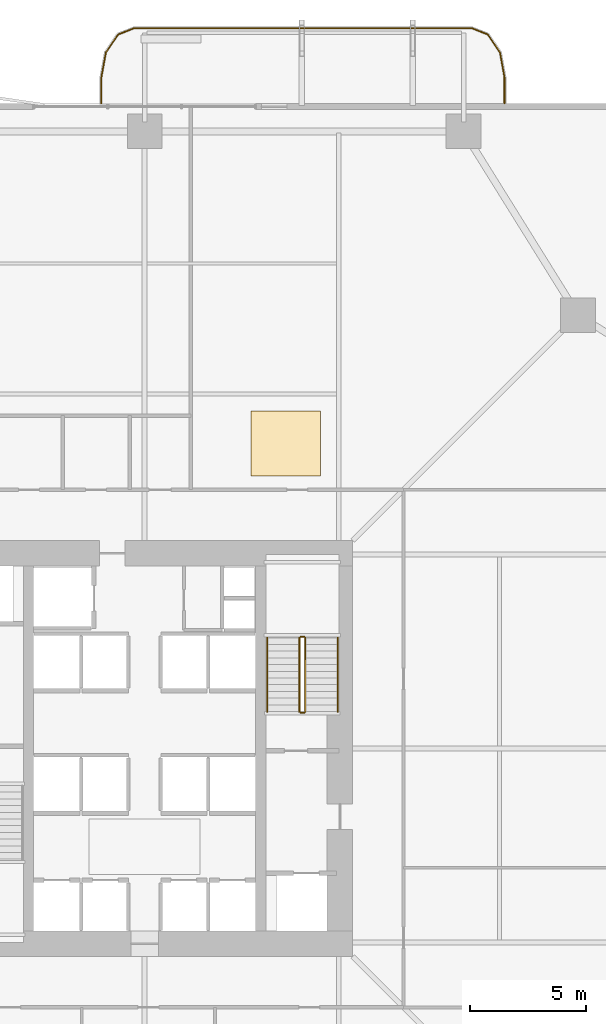
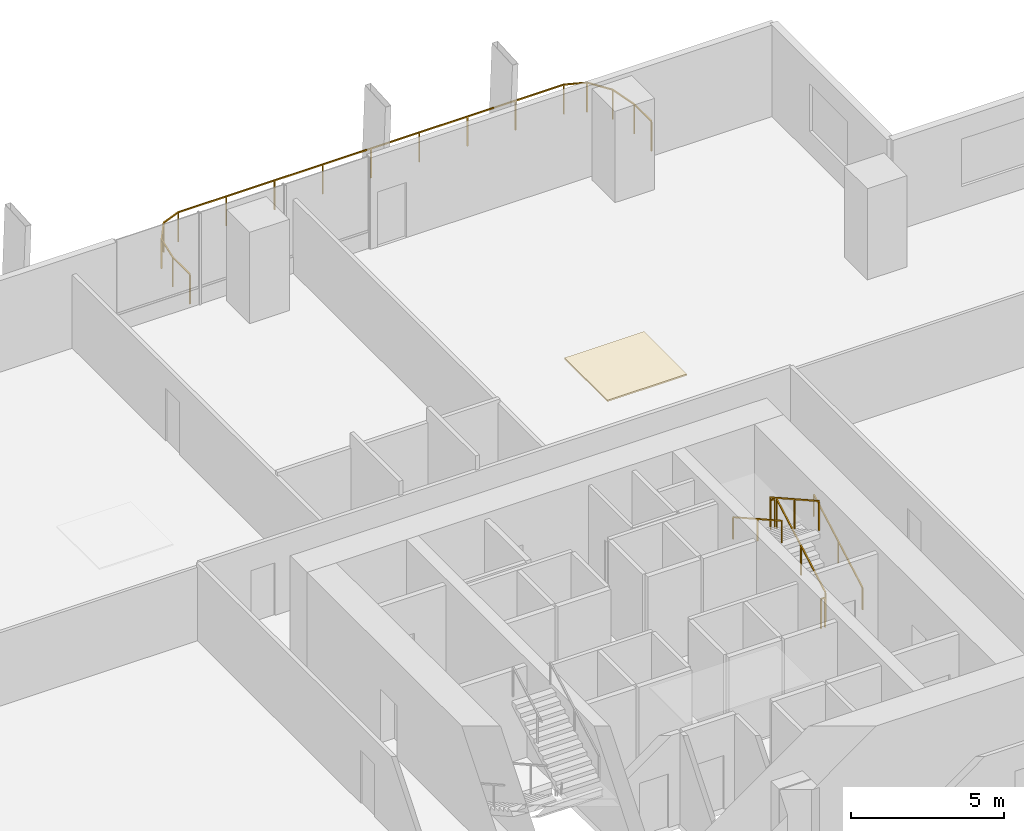
# One storey, part 23 of 23: 7 railings, 1 covering.
"""IFC4 building model written with IfcOpenShell, lengths in metres."""

from ifc_helpers import new_model, si_unit, direction, frame, origin, origin_2d, place, context, subcontext, project, spatial, polyline, rectangle, outline, extrude, material, layer, layer_set, type_object, element, save


model = new_model("IFC4")

# Units and contexts
model_context = context("Model", 3, precision=1e-05, world=origin(), true_north=direction((0.0, 1.0)))
body_context = subcontext(model_context, "Body", "Model", "MODEL_VIEW")
ifc_project = project(units=[si_unit("LENGTHUNIT", "METRE"), si_unit("AREAUNIT", "SQUARE_METRE"), si_unit("VOLUMEUNIT", "CUBIC_METRE"), si_unit("PLANEANGLEUNIT", "RADIAN"), si_unit("MASSUNIT", "GRAM", prefix="KILO")], contexts=[model_context])

# Site, building, storey
site_placement = place(None, origin())
site = spatial("IfcSite", under=ifc_project, at=site_placement, CompositionType="ELEMENT")
building_placement = place(site_placement, origin())
building = spatial("IfcBuilding", under=site, at=building_placement, Name="Belovzor Exchange Tower", CompositionType="ELEMENT")
storey_placement = place(building_placement, frame((0.0, 0.0, 41.699951171875)))
storey = spatial("IfcBuildingStorey", under=building, at=storey_placement, Name="L09", CompositionType="ELEMENT", Elevation=41.699951171875)

# Railings
ifc_material_1 = material(Name="Stainless Steel Grade 304", Category="steel")
railing_type_1 = type_object("IfcRailingType", Name="Brushed Stainless Steel Stair Handrail 900", PredefinedType="HANDRAIL", material=ifc_material_1)
railing_1_placement = place(storey_placement, frame((37.14990234375, 30.39990234375, 0.16259765625)))
element("IfcRailing", 1, at=railing_1_placement, inside=storey, type_object=railing_type_1, Name="L09 ST-2 stair handrail 1", PredefinedType="HANDRAIL", context=body_context, shape_type="SweptSolid", body=[
    extrude(rectangle(XDim=0.048095703125, YDim=0.048095703125, at=origin_2d()), frame((0.0, 0.0, 0.8759765625), z_axis=(0.0, 0.872406949647, 0.488780230991), x_axis=(-1.0, 0.0, 0.0)), (0.0, 0.0, 1.0), 3.65673828125),
    extrude(rectangle(XDim=0.0419921875, YDim=0.0419921875, at=origin_2d()), origin(), (0.0, 0.0, 1.0), 0.851806640625),
    extrude(rectangle(XDim=0.0419921875, YDim=0.0419921875, at=origin_2d()), frame((0.0, 1.59521484375, 0.8935546875)), (0.0, 0.0, 1.0), 0.851806640625),
    extrude(rectangle(XDim=0.0419921875, YDim=0.0419921875, at=origin_2d()), frame((0.0, 3.190185546875, 1.787353515625)), (0.0, 0.0, 1.0), 0.851806640625),
])
railing_2_placement = place(storey_placement, frame((34.10009765625, 33.590087890625, 2.112548828125)))
element("IfcRailing", 2, at=railing_2_placement, inside=storey, type_object=railing_type_1, Name="L09 ST-2 stair handrail 2", PredefinedType="HANDRAIL", context=body_context, shape_type="SweptSolid", body=[
    extrude(rectangle(XDim=0.048095703125, YDim=0.048095703125, at=origin_2d()), frame((0.0, 0.0, 0.8759765625), z_axis=(0.0, -0.87237847985, 0.488831042279), x_axis=(1.0, 0.0, 0.0)), (0.0, 0.0, 1.0), 3.656982421875),
    extrude(rectangle(XDim=0.0419921875, YDim=0.0419921875, at=origin_2d()), origin(), (0.0, 0.0, 1.0), 0.851806640625),
    extrude(rectangle(XDim=0.0419921875, YDim=0.0419921875, at=origin_2d()), frame((0.0, -1.59521484375, 0.893798828125)), (0.0, 0.0, 1.0), 0.851806640625),
    extrude(rectangle(XDim=0.0419921875, YDim=0.0419921875, at=origin_2d()), frame((0.0, -3.190185546875, 1.78759765625)), (0.0, 0.0, 1.0), 0.851806640625),
])
ifc_material_2 = material(Name="Stainless Steel and Laminated Safety Glass", Category="steel")
railing_type_2 = type_object("IfcRailingType", Name="Laminated Glass & Stainless Steel Balcony Balustrade 1200", PredefinedType="BALUSTRADE", material=ifc_material_2)
railing_3_placement = place(storey_placement, frame((44.3701171875, 56.7099609375, 0.0)))
element("IfcRailing", 3, at=railing_3_placement, inside=storey, type_object=railing_type_2, Name="GR-1 Balcony Balustrade L09 North", PredefinedType="BALUSTRADE", context=body_context, shape_type="SweptSolid", body=[
    extrude(rectangle(XDim=0.048095703125, YDim=0.048095703125, at=origin_2d()), frame((0.0, 0.0, 1.17578125), z_axis=(0.0, 1.0, 0.0), x_axis=(-1.0, 0.0, 0.0)), (0.0, 0.0, 1.0), 1.133056640625),
    extrude(rectangle(XDim=0.048095703125, YDim=0.048095703125, at=origin_2d()), frame((0.0, 1.133056640625, 1.17578125), z_axis=(-0.180122719713, 0.983644145941, 0.0), x_axis=(-0.983644145941, -0.180122719713, 0.0)), (0.0, 0.0, 1.0), 1.09375),
    extrude(rectangle(XDim=0.048095703125, YDim=0.048095703125, at=origin_2d()), frame((-0.197021484375, 2.208984375, 1.17578125), z_axis=(-0.56294695933, 0.826493025367, 0.0), x_axis=(-0.826493025367, -0.56294695933, 0.0)), (0.0, 0.0, 1.0), 0.932861328125),
    extrude(rectangle(XDim=0.048095703125, YDim=0.048095703125, at=origin_2d()), frame((-0.72216796875, 2.97998046875, 1.17578125), z_axis=(-0.930766990125, 0.365612923861, 0.0), x_axis=(-0.365612923861, -0.930766990125, 0.0)), (0.0, 0.0, 1.0), 0.765869140625),
    extrude(rectangle(XDim=0.048095703125, YDim=0.048095703125, at=origin_2d()), frame((-1.43505859375, 3.260009765625, 1.17578125), z_axis=(-1.0, 0.0, 0.0), x_axis=(0.0, -1.0, 0.0)), (0.0, 0.0, 1.0), 14.570068359375),
    extrude(rectangle(XDim=0.048095703125, YDim=0.048095703125, at=origin_2d()), frame((-16.005126953125, 3.260009765625, 1.17578125), z_axis=(-0.930766990125, -0.365612923861, 0.0), x_axis=(0.365612923861, -0.930766990125, 0.0)), (0.0, 0.0, 1.0), 0.765869140625),
    extrude(rectangle(XDim=0.048095703125, YDim=0.048095703125, at=origin_2d()), frame((-16.718017578125, 2.97998046875, 1.17578125), z_axis=(-0.56294695933, -0.826493025367, 0.0), x_axis=(0.826493025367, -0.56294695933, 0.0)), (0.0, 0.0, 1.0), 0.932861328125),
    extrude(rectangle(XDim=0.048095703125, YDim=0.048095703125, at=origin_2d()), frame((-17.2431640625, 2.208984375, 1.17578125), z_axis=(-0.180122719713, -0.983644145941, 0.0), x_axis=(0.983644145941, -0.180122719713, 0.0)), (0.0, 0.0, 1.0), 1.09375),
    extrude(rectangle(XDim=0.048095703125, YDim=0.048095703125, at=origin_2d()), frame((-17.440185546875, 1.133056640625, 1.17578125), z_axis=(0.0, -1.0, 0.0), x_axis=(1.0, 0.0, 0.0)), (0.0, 0.0, 1.0), 1.133056640625),
    extrude(rectangle(XDim=0.0419921875, YDim=0.0419921875, at=origin_2d()), origin(), (0.0, 0.0, 1.0), 1.15185546875),
    extrude(rectangle(XDim=0.0419921875, YDim=0.0419921875, at=origin_2d()), frame((0.0, 1.133056640625, 0.0)), (0.0, 0.0, 1.0), 1.15185546875),
    extrude(rectangle(XDim=0.0419921875, YDim=0.0419921875, at=origin_2d()), frame((-0.197021484375, 2.208984375, 0.0)), (0.0, 0.0, 1.0), 1.15185546875),
    extrude(rectangle(XDim=0.0419921875, YDim=0.0419921875, at=origin_2d()), frame((-0.72216796875, 2.97998046875, 0.0)), (0.0, 0.0, 1.0), 1.15185546875),
    extrude(rectangle(XDim=0.0419921875, YDim=0.0419921875, at=origin_2d()), frame((-1.43505859375, 3.260009765625, 0.0)), (0.0, 0.0, 1.0), 1.15185546875),
    extrude(rectangle(XDim=0.0419921875, YDim=0.0419921875, at=origin_2d()), frame((-3.25634765625, 3.260009765625, 0.0)), (0.0, 0.0, 1.0), 1.15185546875),
    extrude(rectangle(XDim=0.0419921875, YDim=0.0419921875, at=origin_2d()), frame((-5.07763671875, 3.260009765625, 0.0)), (0.0, 0.0, 1.0), 1.15185546875),
    extrude(rectangle(XDim=0.0419921875, YDim=0.0419921875, at=origin_2d()), frame((-6.89892578125, 3.260009765625, 0.0)), (0.0, 0.0, 1.0), 1.15185546875),
    extrude(rectangle(XDim=0.0419921875, YDim=0.0419921875, at=origin_2d()), frame((-8.72021484375, 3.260009765625, 0.0)), (0.0, 0.0, 1.0), 1.15185546875),
    extrude(rectangle(XDim=0.0419921875, YDim=0.0419921875, at=origin_2d()), frame((-10.541259765625, 3.260009765625, 0.0)), (0.0, 0.0, 1.0), 1.15185546875),
    extrude(rectangle(XDim=0.0419921875, YDim=0.0419921875, at=origin_2d()), frame((-12.362548828125, 3.260009765625, 0.0)), (0.0, 0.0, 1.0), 1.15185546875),
    extrude(rectangle(XDim=0.0419921875, YDim=0.0419921875, at=origin_2d()), frame((-14.183837890625, 3.260009765625, 0.0)), (0.0, 0.0, 1.0), 1.15185546875),
    extrude(rectangle(XDim=0.0419921875, YDim=0.0419921875, at=origin_2d()), frame((-16.005126953125, 3.260009765625, 0.0)), (0.0, 0.0, 1.0), 1.15185546875),
    extrude(rectangle(XDim=0.0419921875, YDim=0.0419921875, at=origin_2d()), frame((-16.718017578125, 2.97998046875, 0.0)), (0.0, 0.0, 1.0), 1.15185546875),
    extrude(rectangle(XDim=0.0419921875, YDim=0.0419921875, at=origin_2d()), frame((-17.2431640625, 2.208984375, 0.0)), (0.0, 0.0, 1.0), 1.15185546875),
    extrude(rectangle(XDim=0.0419921875, YDim=0.0419921875, at=origin_2d()), frame((-17.440185546875, 1.133056640625, 0.0)), (0.0, 0.0, 1.0), 1.15185546875),
    extrude(rectangle(XDim=0.0419921875, YDim=0.0419921875, at=origin_2d()), frame((-17.440185546875, 0.0, 0.0)), (0.0, 0.0, 1.0), 1.15185546875),
])
ifc_material_3 = material(Name="Steel S355", Category="steel")
railing_type_3 = type_object("IfcRailingType", Name="Painted Steel Stairwell Guardrail 1200", PredefinedType="GUARDRAIL", material=ifc_material_3)
railing_4_placement = place(storey_placement, frame((35.75, 30.39990234375, 0.16259765625)))
element("IfcRailing", 4, at=railing_4_placement, inside=storey, type_object=railing_type_3, Name="L09 ST-2 stair guard 1", PredefinedType="GUARDRAIL", context=body_context, shape_type="SweptSolid", body=[
    extrude(rectangle(XDim=0.048095703125, YDim=0.048095703125, at=origin_2d()), frame((0.0, 0.0, 1.17578125), z_axis=(0.0, 0.872406949647, 0.488780230991), x_axis=(-1.0, 0.0, 0.0)), (0.0, 0.0, 1.0), 3.65673828125),
    extrude(rectangle(XDim=0.0419921875, YDim=0.0419921875, at=origin_2d()), origin(), (0.0, 0.0, 1.0), 1.15185546875),
    extrude(rectangle(XDim=0.0419921875, YDim=0.0419921875, at=origin_2d()), frame((0.0, 1.59521484375, 0.8935546875)), (0.0, 0.0, 1.0), 1.15185546875),
    extrude(rectangle(XDim=0.0419921875, YDim=0.0419921875, at=origin_2d()), frame((0.0, 3.190185546875, 1.787353515625)), (0.0, 0.0, 1.0), 1.15185546875),
])
railing_5_placement = place(storey_placement, frame((35.699951171875, 33.639892578125, 1.949951171875)))
element("IfcRailing", 5, at=railing_5_placement, inside=storey, type_object=railing_type_3, Name="L09 ST-2 stair guard 2", PredefinedType="GUARDRAIL", context=body_context, shape_type="SweptSolid", body=[
    extrude(rectangle(XDim=0.048095703125, YDim=0.048095703125, at=origin_2d()), frame((0.0, 0.0, 1.17578125), z_axis=(-1.0, 0.0, 0.0), x_axis=(0.0, -1.0, 0.0)), (0.0, 0.0, 1.0), 0.14990234375),
    extrude(rectangle(XDim=0.0419921875, YDim=0.0419921875, at=origin_2d()), origin(), (0.0, 0.0, 1.0), 1.15185546875),
    extrude(rectangle(XDim=0.0419921875, YDim=0.0419921875, at=origin_2d()), frame((-0.14990234375, 0.0, 0.0)), (0.0, 0.0, 1.0), 1.15185546875),
])
railing_6_placement = place(storey_placement, frame((35.5, 33.590087890625, 2.112548828125)))
element("IfcRailing", 6, at=railing_6_placement, inside=storey, type_object=railing_type_3, Name="L09 ST-2 stair guard 3", PredefinedType="GUARDRAIL", context=body_context, shape_type="SweptSolid", body=[
    extrude(rectangle(XDim=0.048095703125, YDim=0.048095703125, at=origin_2d()), frame((0.0, 0.0, 1.17578125), z_axis=(0.0, -0.87237847985, 0.488831042279), x_axis=(1.0, 0.0, 0.0)), (0.0, 0.0, 1.0), 3.656982421875),
    extrude(rectangle(XDim=0.0419921875, YDim=0.0419921875, at=origin_2d()), origin(), (0.0, 0.0, 1.0), 1.15185546875),
    extrude(rectangle(XDim=0.0419921875, YDim=0.0419921875, at=origin_2d()), frame((0.0, -1.59521484375, 0.893798828125)), (0.0, 0.0, 1.0), 1.15185546875),
    extrude(rectangle(XDim=0.0419921875, YDim=0.0419921875, at=origin_2d()), frame((0.0, -3.190185546875, 1.78759765625)), (0.0, 0.0, 1.0), 1.15185546875),
])
railing_7_placement = place(storey_placement, frame((35.699951171875, 30.35009765625, 0.0)))
element("IfcRailing", 7, at=railing_7_placement, inside=storey, type_object=railing_type_3, Name="L09 ST-2 stair guard 4", PredefinedType="GUARDRAIL", context=body_context, shape_type="SweptSolid", body=[
    extrude(rectangle(XDim=0.048095703125, YDim=0.048095703125, at=origin_2d()), frame((0.0, 0.0, 1.17578125), z_axis=(-1.0, 0.0, 0.0), x_axis=(0.0, -1.0, 0.0)), (0.0, 0.0, 1.0), 0.14990234375),
    extrude(rectangle(XDim=0.0419921875, YDim=0.0419921875, at=origin_2d()), origin(), (0.0, 0.0, 1.0), 1.15185546875),
    extrude(rectangle(XDim=0.0419921875, YDim=0.0419921875, at=origin_2d()), frame((-0.14990234375, 0.0, 0.0)), (0.0, 0.0, 1.0), 1.15185546875),
])

# Covering
ifc_material_4 = material(Name="Perforated Powder-Coated Aluminium", Category="aluminium")
ifc_layer = layer(ifc_material_4, 0.06005859375)
ifc_layer_set = layer_set([ifc_layer], Name="Perforated Powder-Coated Aluminium")
covering_type = type_object("IfcCoveringType", Name="Perforated Acoustic Metal Tile Suspended Ceiling 60", PredefinedType="CEILING", material=ifc_layer_set)
covering_placement = place(storey_placement, frame((0.0, 0.0, 3.590087890625)))
element("IfcCovering", 8, at=covering_placement, inside=storey, type_object=covering_type, Name="CLG-AC60 Suspended Ceiling CLG-L09-Z2", PredefinedType="CEILING", context=body_context, shape_type="SweptSolid", body=[
    extrude(outline(polyline([(33.39990234375, 40.60009765625), (36.39990234375, 40.60009765625), (36.39990234375, 43.39990234375), (33.39990234375, 43.39990234375), (33.39990234375, 40.60009765625)])), origin(), (0.0, 0.0, 1.0), 0.06005859375),
])

save(model, "model.ifc")
